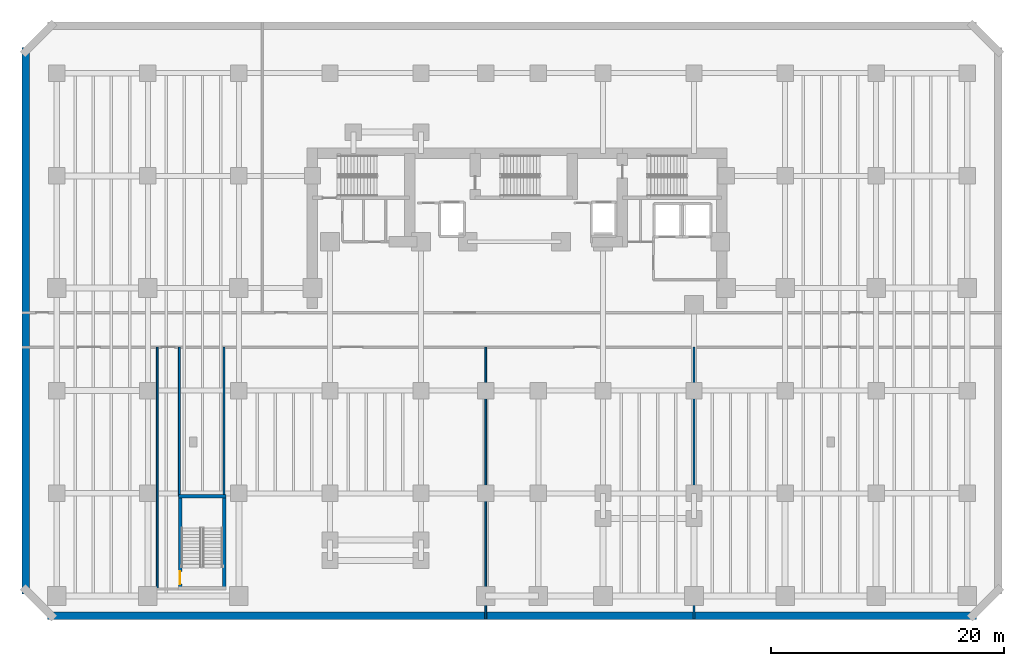
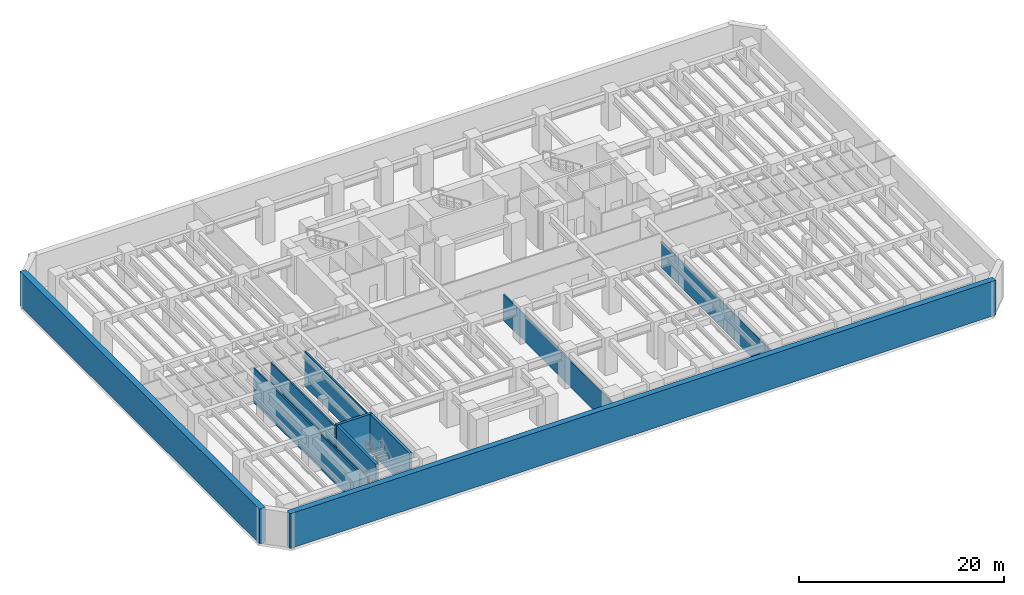
# One storey, part 4 of 9: 10 walls, 1 door, 1 opening.
"""IFC4 building model written with IfcOpenShell, lengths in metres."""

from ifc_helpers import new_model, si_unit, direction, frame, frame_2d, origin, place, context, subcontext, project, spatial, rectangle, extrude, material, layer, layer_set, type_object, element, fill, save


model = new_model("IFC4")

# Units and contexts
model_context = context("Model", 3, precision=1e-05, world=origin(), true_north=direction((0.0, 1.0)))
body_context = subcontext(model_context, "Body", "Model", "MODEL_VIEW")
ifc_project = project(units=[si_unit("LENGTHUNIT", "METRE"), si_unit("AREAUNIT", "SQUARE_METRE"), si_unit("VOLUMEUNIT", "CUBIC_METRE"), si_unit("PLANEANGLEUNIT", "RADIAN"), si_unit("MASSUNIT", "GRAM", prefix="KILO")], contexts=[model_context])

# Site, building, storey
site_placement = place(None, origin())
site = spatial("IfcSite", under=ifc_project, at=site_placement, CompositionType="ELEMENT")
building_placement = place(site_placement, origin())
building = spatial("IfcBuilding", under=site, at=building_placement, Name="Kestravale Grand Hotel", CompositionType="ELEMENT")
storey_placement = place(building_placement, frame((0.0, 0.0, -4.5)))
storey = spatial("IfcBuildingStorey", under=building, at=storey_placement, Name="B1", CompositionType="ELEMENT", Elevation=-4.5)

# Walls
ifc_material_1 = material(Name="Concrete f'c 45 MPa", Category="concrete")
ifc_layer_1 = layer(ifc_material_1, 0.64990234375)
ifc_layer_set_1 = layer_set([ifc_layer_1], Name="EW-RET-650")
wall_type_1 = type_object("IfcWallType", Name="EW-RET-650", PredefinedType="USERDEFINED", material=ifc_layer_set_1)
wall_1_placement = place(storey_placement, frame((-0.820068359375, 0.72509765625, 0.0), z_axis=(0.0, 0.0, 1.0), x_axis=(1.0, 0.0, 0.0)))
element("IfcWall", 1, at=wall_1_placement, inside=storey, type_object=wall_type_1, Name="B1 perimeter retaining wall 1", ObjectType="RETAINING WALL", PredefinedType="USERDEFINED", context=body_context, shape_type="SweptSolid", body=[
    extrude(rectangle(XDim=79.64013671875, YDim=0.64990234375, at=frame_2d((39.820068359375, 0.0))), origin(), (0.0, 0.0, 1.0), 4.14990234375),
])
wall_2_placement = place(storey_placement, frame((-2.675048828125, 49.419921875, 0.0), z_axis=(0.0, 0.0, 1.0), x_axis=(0.0, -1.0, 0.0)))
element("IfcWall", 2, at=wall_2_placement, inside=storey, type_object=wall_type_1, Name="B1 perimeter retaining wall 7", ObjectType="RETAINING WALL", PredefinedType="USERDEFINED", context=body_context, shape_type="SweptSolid", body=[
    extrude(rectangle(XDim=46.83984375, YDim=0.64990234375, at=frame_2d((23.419921875, 0.0))), origin(), (0.0, 0.0, 1.0), 4.14990234375),
])

# Wall, opening, door
ifc_material_2 = material(Name="Concrete f'c 45 MPa", Category="concrete")
ifc_layer_2 = layer(ifc_material_2, 0.300048828125)
ifc_layer_set_2 = layer_set([ifc_layer_2], Name="EW-STAIR-300")
wall_type_2 = type_object("IfcWallType", Name="EW-STAIR-300", PredefinedType="SHEAR", material=ifc_layer_set_2)
wall_3_placement = place(storey_placement, frame((10.56005859375, 3.070068359375, 0.0), z_axis=(0.0, 0.0, 1.0), x_axis=(0.0, 1.0, 0.0)))
wall_3 = element("IfcWall", 3, at=wall_3_placement, inside=storey, type_object=wall_type_2, Name="B1 stair enclosure shear wall ST4W", PredefinedType="SHEAR", context=body_context, shape_type="SweptSolid", body=[
    extrude(rectangle(XDim=7.85986328125, YDim=0.300048828125, at=frame_2d((3.929931640625, 0.0))), origin(), (0.0, 0.0, 1.0), 4.5),
])
opening_placement = place(wall_3_placement, frame((0.35009765625, 0.0, 0.0)))
opening = element("IfcOpeningElement", 4, at=opening_placement, cuts=wall_3, Name="Opening D-ST-1100", PredefinedType="OPENING", context=body_context, shape_type="SweptSolid", body=[
    extrude(rectangle(XDim=1.10009765625, YDim=2.14990234375, at=frame_2d((0.550048828125, 1.074951171875))), frame((0.0, 0.159912109375, 0.0), z_axis=(0.0, -1.0, 0.0), x_axis=(1.0, 0.0, 0.0)), (0.0, 0.0, 1.0), 0.320068359375),
])
ifc_material_3 = material(Name="Galvanised 90-minute fire-rated steel stair door", Category="steel")
door_type = type_object("IfcDoorType", Name="D-ST-1100", OperationType="NOTDEFINED", PredefinedType="DOOR", material=ifc_material_3)
door_placement = place(opening_placement, origin())
door = element("IfcDoor", 5, at=door_placement, inside=storey, type_object=door_type, Name="B1 Stair ST-4 fire door", OperationType="SINGLE_SWING_LEFT", OverallHeight=2.14990234375, OverallWidth=1.10009765625, PredefinedType="DOOR", context=body_context, shape_type="SweptSolid", body=[
    extrude(rectangle(XDim=1.10009765625, YDim=2.14990234375, at=frame_2d((0.550048828125, 1.074951171875))), frame((0.0, 0.02490234375, 0.0), z_axis=(0.0, -1.0, 0.0), x_axis=(1.0, 0.0, 0.0)), (0.0, 0.0, 1.0), 0.050048828125),
])
fill(opening, door)

# Walls
wall_4_placement = place(storey_placement, frame((14.330078125, 3.070068359375, 0.0), z_axis=(0.0, 0.0, 1.0), x_axis=(0.0, 1.0, 0.0)))
element("IfcWall", 6, at=wall_4_placement, inside=storey, type_object=wall_type_2, Name="B1 stair enclosure shear wall ST4E", PredefinedType="SHEAR", context=body_context, shape_type="SweptSolid", body=[
    extrude(rectangle(XDim=7.85986328125, YDim=0.300048828125, at=frame_2d((3.929931640625, 0.0))), origin(), (0.0, 0.0, 1.0), 4.5),
])
wall_5_placement = place(storey_placement, frame((10.409912109375, 10.929931640625, 0.0), z_axis=(0.0, 0.0, 1.0), x_axis=(1.0, 0.0, 0.0)))
element("IfcWall", 7, at=wall_5_placement, inside=storey, type_object=wall_type_2, Name="B1 stair enclosure shear wall ST4N", PredefinedType="SHEAR", context=body_context, shape_type="SweptSolid", body=[
    extrude(rectangle(XDim=4.070068359375, YDim=0.300048828125, at=frame_2d((2.03515625, 0.0))), origin(), (0.0, 0.0, 1.0), 4.5),
])
ifc_material_4 = material(Name="Acoustic fire-rated gypsum board partition", Category="other")
ifc_layer_3 = layer(ifc_material_4, 0.159912109375)
ifc_layer_set_3 = layer_set([ifc_layer_3], Name="IW-CORR-160")
wall_type_3 = type_object("IfcWallType", Name="IW-CORR-160", PredefinedType="PARTITIONING", material=ifc_layer_set_3)
wall_6_placement = place(storey_placement, frame((8.60009765625, 3.0, 0.0), z_axis=(0.0, 0.0, 1.0), x_axis=(0.0, 1.0, 0.0)))
element("IfcWall", 8, at=wall_6_placement, inside=storey, type_object=wall_type_3, Name="W-B1-WC-W", PredefinedType="PARTITIONING", context=body_context, shape_type="SweptSolid", body=[
    extrude(rectangle(XDim=20.719970703125, YDim=0.159912109375, at=frame_2d((10.35986328125, 0.0))), origin(), (0.0, 0.0, 1.0), 4.14990234375),
])
wall_7_placement = place(storey_placement, frame((10.5, 10.949951171875, 0.0), z_axis=(0.0, 0.0, 1.0), x_axis=(0.0, 1.0, 0.0)))
element("IfcWall", 9, at=wall_7_placement, inside=storey, type_object=wall_type_3, Name="W-B1-WC-E", PredefinedType="PARTITIONING", context=body_context, shape_type="SweptSolid", body=[
    extrude(rectangle(XDim=12.77001953125, YDim=0.159912109375, at=frame_2d((6.385009765625, 0.0))), origin(), (0.0, 0.0, 1.0), 4.14990234375),
])
ifc_material_5 = material(Name="Double-stud STC 52 acoustic demising partition", Category="other")
ifc_layer_4 = layer(ifc_material_5, 0.14990234375)
ifc_layer_set_4 = layer_set([ifc_layer_4], Name="IW-UNIT-150")
wall_type_4 = type_object("IfcWallType", Name="IW-UNIT-150", PredefinedType="PARTITIONING", material=ifc_layer_set_4)
wall_8_placement = place(storey_placement, frame((14.330078125, 10.949951171875, 0.0), z_axis=(0.0, 0.0, 1.0), x_axis=(0.0, 1.0, 0.0)))
element("IfcWall", 10, at=wall_8_placement, inside=storey, type_object=wall_type_4, Name="W-B1-ST4-EN", PredefinedType="PARTITIONING", context=body_context, shape_type="SweptSolid", body=[
    extrude(rectangle(XDim=12.77001953125, YDim=0.14990234375, at=frame_2d((6.385009765625, 0.0))), origin(), (0.0, 0.0, 1.0), 4.14990234375),
])
for number, where, z_axis, x_axis, name in (
    (11, (36.75, 0.419921875, 0.0), (0.0, 0.0, 1.0), (0.0, 1.0, 0.0), "W-B1-SB-2"),
    (12, (54.60009765625, 0.419921875, 0.0), (0.0, 0.0, 1.0), (0.0, 1.0, 0.0), "W-B1-SB-3"),
):
    element("IfcWall", number, at=place(storey_placement, frame(where, z_axis=z_axis, x_axis=x_axis)), inside=storey, type_object=wall_type_4, Name=name, PredefinedType="PARTITIONING", context=body_context, shape_type="SweptSolid", body=[
        extrude(rectangle(XDim=23.300048828125, YDim=0.14990234375, at=frame_2d((11.64990234375, 0.0))), origin(), (0.0, 0.0, 1.0), 3.110107421875),
    ])

save(model, "model.ifc")
